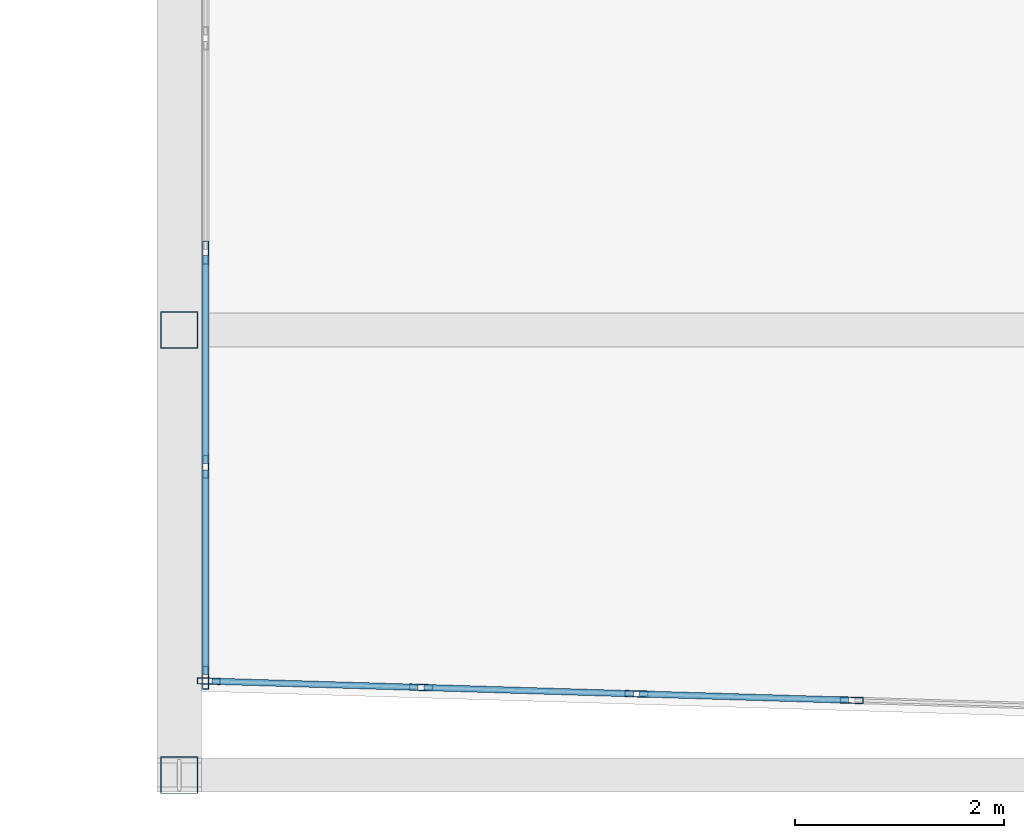
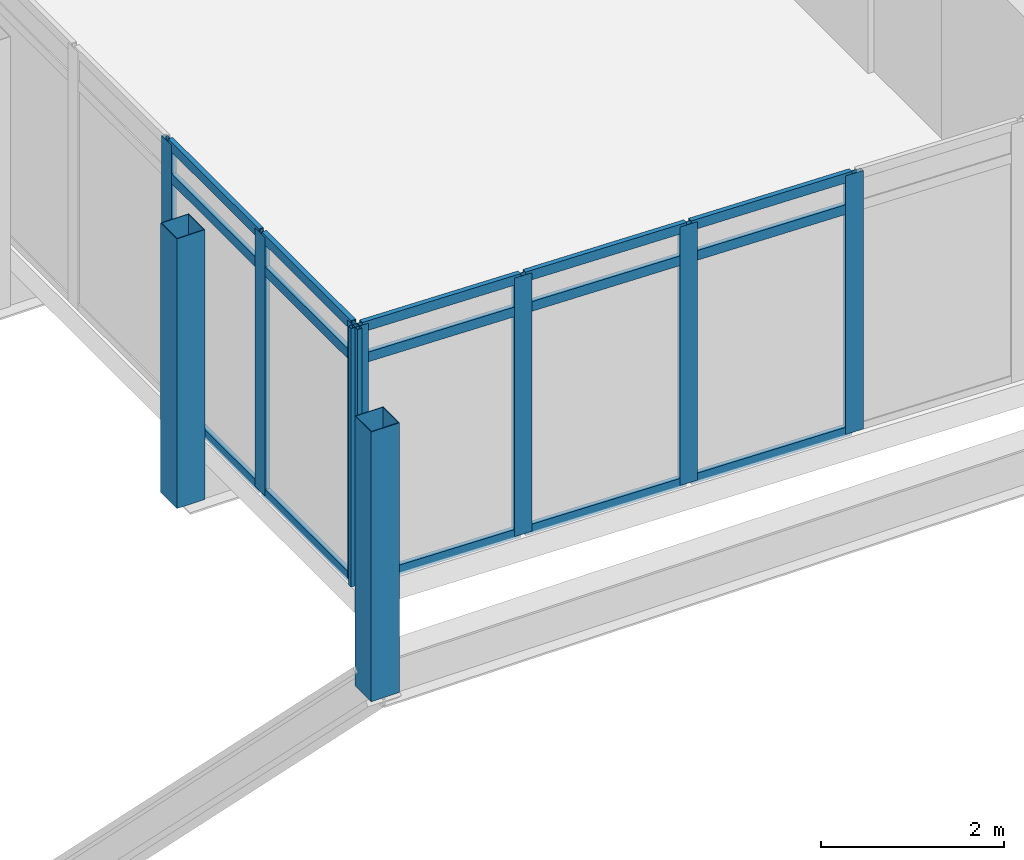
# One storey, part 2 of 37: 24 members, 2 elements without a shape of their own.
"""IFC4 building model written with IfcOpenShell, lengths in metres."""

from ifc_helpers import new_model, si_unit, direction, frame, origin, origin_2d, place, context, subcontext, project, spatial, hollow_rectangle, extrude, material, material_profile, profile_set, type_object, element, aggregate, save


model = new_model("IFC4")

# Units and contexts
model_context = context("Model", 3, precision=1e-05, world=origin(), true_north=direction((0.0, 1.0)))
body_context = subcontext(model_context, "Body", "Model", "MODEL_VIEW")
ifc_project = project(units=[si_unit("LENGTHUNIT", "METRE"), si_unit("AREAUNIT", "SQUARE_METRE"), si_unit("VOLUMEUNIT", "CUBIC_METRE"), si_unit("PLANEANGLEUNIT", "RADIAN"), si_unit("MASSUNIT", "GRAM", prefix="KILO")], contexts=[model_context])

# Site, building, storey
site_placement = place(None, origin())
site = spatial("IfcSite", under=ifc_project, at=site_placement, CompositionType="ELEMENT")
building_placement = place(site_placement, origin())
building = spatial("IfcBuilding", under=site, at=building_placement, Name="Ostrander Bayou Hotel Tower", CompositionType="ELEMENT")
storey_placement = place(building_placement, frame((0.0, 0.0, 93.0)))
storey = spatial("IfcBuildingStorey", under=building, at=storey_placement, Name="L23", CompositionType="ELEMENT", Elevation=93.0)

# Curtain wall, members
ifc_material_1 = material(Name="Aluminium and clear glass", Category="aluminium")
curtain_wall_type = type_object("IfcCurtainWallType", Name="CW-BAR glazed wall", PredefinedType="NOTDEFINED", material=ifc_material_1)
curtain_wall_1_placement = place(storey_placement, origin())
curtain_wall_1 = element("IfcCurtainWall", 1, at=curtain_wall_1_placement, inside=storey, type_object=curtain_wall_type, Name="CW-BAR L23:SB2S:E", PredefinedType="NOTDEFINED")
ifc_material_2 = material(Name="Aluminium", Category="aluminium")
ifc_material_profile_1 = material_profile(ifc_material_2, hollow_rectangle(XDim=0.06005859375, YDim=0.219970703125, WallThickness=0.00390625, at=origin_2d()))
ifc_profile_set_1 = profile_set([ifc_material_profile_1], Name="Aluminium")
member_type_1 = type_object("IfcMemberType", Name="CW-BR mullion 60 x 220 mm", PredefinedType="MULLION", material=ifc_profile_set_1)
member_1_placement = place(storey_placement, frame((-13.3671875, -27.211181640625, 0.0), z_axis=(0.0, 0.0, 1.0), x_axis=(1.0, 0.0, 0.0)))
member_1 = element("IfcMember", 2, at=member_1_placement, type_object=member_type_1, Name="CW-BAR mullion 9", PredefinedType="MULLION", context=body_context, shape_type="SweptSolid", body=[
    extrude(hollow_rectangle(XDim=0.06005859375, YDim=0.219970703125, WallThickness=0.00390625, at=origin_2d()), origin(), (0.0, 0.0, 1.0), 3.449951171875),
])
member_2_placement = place(storey_placement, frame((-13.3671875, -29.256591796875, 0.0), z_axis=(0.0, 0.0, 1.0), x_axis=(1.0, 0.0, 0.0)))
member_2 = element("IfcMember", 3, at=member_2_placement, type_object=member_type_1, Name="CW-BAR mullion 10", PredefinedType="MULLION", context=body_context, shape_type="SweptSolid", body=[
    extrude(hollow_rectangle(XDim=0.06005859375, YDim=0.219970703125, WallThickness=0.00390625, at=origin_2d()), origin(), (0.0, 0.0, 1.0), 3.449951171875),
])
member_3_placement = place(storey_placement, frame((-13.3671875, -31.272216796875, 0.0), z_axis=(0.0, 0.0, 1.0), x_axis=(1.0, 0.0, 0.0)))
member_3 = element("IfcMember", 4, at=member_3_placement, type_object=member_type_1, Name="CW-BAR mullion 11", PredefinedType="MULLION", context=body_context, shape_type="SweptSolid", body=[
    extrude(hollow_rectangle(XDim=0.06005859375, YDim=0.219970703125, WallThickness=0.00390625, at=origin_2d()), origin(), (0.0, 0.0, 1.0), 3.449951171875),
])

curtain_wall_2_placement = place(storey_placement, origin())
curtain_wall_2 = element("IfcCurtainWall", 5, at=curtain_wall_2_placement, inside=storey, type_object=curtain_wall_type, Name="CW-BAR L23:SB2S:T", PredefinedType="NOTDEFINED")
member_4_placement = place(storey_placement, frame((-13.337158203125, -31.302978515625, 0.0), z_axis=(0.0, 0.0, 1.0), x_axis=(0.029746242041, 0.999557482631, 0.0)))
member_4 = element("IfcMember", 6, at=member_4_placement, type_object=member_type_1, Name="CW-BAR mullion 1", PredefinedType="MULLION", context=body_context, shape_type="SweptSolid", body=[
    extrude(hollow_rectangle(XDim=0.06005859375, YDim=0.219970703125, WallThickness=0.00390625, at=origin_2d()), origin(), (0.0, 0.0, 1.0), 3.449951171875),
])
member_5_placement = place(storey_placement, frame((-11.310791015625, -31.36328125, 0.0), z_axis=(0.0, 0.0, 1.0), x_axis=(0.029746242041, 0.999557482631, 0.0)))
member_5 = element("IfcMember", 7, at=member_5_placement, type_object=member_type_1, Name="CW-BAR mullion 2", PredefinedType="MULLION", context=body_context, shape_type="SweptSolid", body=[
    extrude(hollow_rectangle(XDim=0.06005859375, YDim=0.219970703125, WallThickness=0.00390625, at=origin_2d()), origin(), (0.0, 0.0, 1.0), 3.449951171875),
])
member_6_placement = place(storey_placement, frame((-9.254150390625, -31.424560546875, 0.0), z_axis=(0.0, 0.0, 1.0), x_axis=(0.029746242041, 0.999557482631, 0.0)))
member_6 = element("IfcMember", 8, at=member_6_placement, type_object=member_type_1, Name="CW-BAR mullion 3", PredefinedType="MULLION", context=body_context, shape_type="SweptSolid", body=[
    extrude(hollow_rectangle(XDim=0.06005859375, YDim=0.219970703125, WallThickness=0.00390625, at=origin_2d()), origin(), (0.0, 0.0, 1.0), 3.449951171875),
])
member_7_placement = place(storey_placement, frame((-7.19775390625, -31.48583984375, 0.0), z_axis=(0.0, 0.0, 1.0), x_axis=(0.029746242041, 0.999557482631, 0.0)))
member_7 = element("IfcMember", 9, at=member_7_placement, type_object=member_type_1, Name="CW-BAR mullion 4", PredefinedType="MULLION", context=body_context, shape_type="SweptSolid", body=[
    extrude(hollow_rectangle(XDim=0.06005859375, YDim=0.219970703125, WallThickness=0.00390625, at=origin_2d()), origin(), (0.0, 0.0, 1.0), 3.449951171875),
])

# Member
ifc_material_3 = material(Name="Aluminium", Category="aluminium")
ifc_material_profile_2 = material_profile(ifc_material_3, hollow_rectangle(XDim=0.06005859375, YDim=0.1298828125, WallThickness=0.00390625, at=origin_2d()))
ifc_profile_set_2 = profile_set([ifc_material_profile_2], Name="Aluminium")
member_type_2 = type_object("IfcMemberType", Name="CW-BR transom 60 x 130 mm", PredefinedType="USERDEFINED", material=ifc_profile_set_2)
member_8_placement = place(storey_placement, frame((-13.3671875, -27.2412109375, 0.030029296875), z_axis=(0.0, -1.0, 0.0), x_axis=(1.0, 0.0, 0.0)))
member_8 = element("IfcMember", 10, at=member_8_placement, type_object=member_type_2, Name="CW-BAR transom 9.1", ObjectType="TRANSOM", PredefinedType="USERDEFINED", context=body_context, shape_type="SweptSolid", body=[
    extrude(hollow_rectangle(XDim=0.06005859375, YDim=0.1298828125, WallThickness=0.00390625, at=origin_2d()), origin(), (0.0, 0.0, 1.0), 1.985595703125),
])

member_9_placement = place(storey_placement, frame((-13.3671875, -27.2412109375, 3.0), z_axis=(0.0, -1.0, 0.0), x_axis=(1.0, 0.0, 0.0)))
member_9 = element("IfcMember", 11, at=member_9_placement, type_object=member_type_2, Name="CW-BAR transom 9.2", ObjectType="TRANSOM", PredefinedType="USERDEFINED", context=body_context, shape_type="SweptSolid", body=[
    extrude(hollow_rectangle(XDim=0.06005859375, YDim=0.1298828125, WallThickness=0.00390625, at=origin_2d()), origin(), (0.0, 0.0, 1.0), 1.985595703125),
])

member_10_placement = place(storey_placement, frame((-13.3671875, -27.2412109375, 3.419921875), z_axis=(0.0, -1.0, 0.0), x_axis=(1.0, 0.0, 0.0)))
member_10 = element("IfcMember", 12, at=member_10_placement, type_object=member_type_2, Name="CW-BAR transom 9.3", ObjectType="TRANSOM", PredefinedType="USERDEFINED", context=body_context, shape_type="SweptSolid", body=[
    extrude(hollow_rectangle(XDim=0.06005859375, YDim=0.1298828125, WallThickness=0.00390625, at=origin_2d()), origin(), (0.0, 0.0, 1.0), 1.985595703125),
])

member_11_placement = place(storey_placement, frame((-13.3671875, -29.28662109375, 0.030029296875), z_axis=(0.0, -1.0, 0.0), x_axis=(1.0, 0.0, 0.0)))
member_11 = element("IfcMember", 13, at=member_11_placement, type_object=member_type_2, Name="CW-BAR transom 10.1", ObjectType="TRANSOM", PredefinedType="USERDEFINED", context=body_context, shape_type="SweptSolid", body=[
    extrude(hollow_rectangle(XDim=0.06005859375, YDim=0.1298828125, WallThickness=0.00390625, at=origin_2d()), origin(), (0.0, 0.0, 1.0), 1.95556640625),
])

member_12_placement = place(storey_placement, frame((-13.3671875, -29.28662109375, 3.0), z_axis=(0.0, -1.0, 0.0), x_axis=(1.0, 0.0, 0.0)))
member_12 = element("IfcMember", 14, at=member_12_placement, type_object=member_type_2, Name="CW-BAR transom 10.2", ObjectType="TRANSOM", PredefinedType="USERDEFINED", context=body_context, shape_type="SweptSolid", body=[
    extrude(hollow_rectangle(XDim=0.06005859375, YDim=0.1298828125, WallThickness=0.00390625, at=origin_2d()), origin(), (0.0, 0.0, 1.0), 1.95556640625),
])

member_13_placement = place(storey_placement, frame((-13.3671875, -29.28662109375, 3.419921875), z_axis=(0.0, -1.0, 0.0), x_axis=(1.0, 0.0, 0.0)))
member_13 = element("IfcMember", 15, at=member_13_placement, type_object=member_type_2, Name="CW-BAR transom 10.3", ObjectType="TRANSOM", PredefinedType="USERDEFINED", context=body_context, shape_type="SweptSolid", body=[
    extrude(hollow_rectangle(XDim=0.06005859375, YDim=0.1298828125, WallThickness=0.00390625, at=origin_2d()), origin(), (0.0, 0.0, 1.0), 1.95556640625),
])

aggregate(curtain_wall_1, [member_1, member_2, member_3, member_8, member_9, member_10, member_11, member_12, member_13])

member_14_placement = place(storey_placement, frame((-13.30712890625, -31.303955078125, 0.030029296875), z_axis=(0.999556419591, -0.029781941738, 0.0), x_axis=(0.029781941738, 0.999556419591, 0.0)))
member_14 = element("IfcMember", 16, at=member_14_placement, type_object=member_type_2, Name="CW-BAR transom 1.1", ObjectType="TRANSOM", PredefinedType="USERDEFINED", context=body_context, shape_type="SweptSolid", body=[
    extrude(hollow_rectangle(XDim=0.06005859375, YDim=0.1298828125, WallThickness=0.00390625, at=origin_2d()), origin(), (0.0, 0.0, 1.0), 1.967529296875),
])

member_15_placement = place(storey_placement, frame((-13.30712890625, -31.303955078125, 3.0), z_axis=(0.999556419591, -0.029781941738, 0.0), x_axis=(0.029781941738, 0.999556419591, 0.0)))
member_15 = element("IfcMember", 17, at=member_15_placement, type_object=member_type_2, Name="CW-BAR transom 1.2", ObjectType="TRANSOM", PredefinedType="USERDEFINED", context=body_context, shape_type="SweptSolid", body=[
    extrude(hollow_rectangle(XDim=0.06005859375, YDim=0.1298828125, WallThickness=0.00390625, at=origin_2d()), origin(), (0.0, 0.0, 1.0), 1.967529296875),
])

member_16_placement = place(storey_placement, frame((-13.30712890625, -31.303955078125, 3.419921875), z_axis=(0.999556419591, -0.029781941738, 0.0), x_axis=(0.029781941738, 0.999556419591, 0.0)))
member_16 = element("IfcMember", 18, at=member_16_placement, type_object=member_type_2, Name="CW-BAR transom 1.3", ObjectType="TRANSOM", PredefinedType="USERDEFINED", context=body_context, shape_type="SweptSolid", body=[
    extrude(hollow_rectangle(XDim=0.06005859375, YDim=0.1298828125, WallThickness=0.00390625, at=origin_2d()), origin(), (0.0, 0.0, 1.0), 1.967529296875),
])

member_17_placement = place(storey_placement, frame((-11.28076171875, -31.3642578125, 0.030029296875), z_axis=(0.999555199151, -0.029822874614, 0.0), x_axis=(0.029822874614, 0.999555199151, 0.0)))
member_17 = element("IfcMember", 19, at=member_17_placement, type_object=member_type_2, Name="CW-BAR transom 2.1", ObjectType="TRANSOM", PredefinedType="USERDEFINED", context=body_context, shape_type="SweptSolid", body=[
    extrude(hollow_rectangle(XDim=0.06005859375, YDim=0.1298828125, WallThickness=0.00390625, at=origin_2d()), origin(), (0.0, 0.0, 1.0), 1.99755859375),
])

member_18_placement = place(storey_placement, frame((-11.28076171875, -31.3642578125, 3.0), z_axis=(0.999555199151, -0.029822874614, 0.0), x_axis=(0.029822874614, 0.999555199151, 0.0)))
member_18 = element("IfcMember", 20, at=member_18_placement, type_object=member_type_2, Name="CW-BAR transom 2.2", ObjectType="TRANSOM", PredefinedType="USERDEFINED", context=body_context, shape_type="SweptSolid", body=[
    extrude(hollow_rectangle(XDim=0.06005859375, YDim=0.1298828125, WallThickness=0.00390625, at=origin_2d()), origin(), (0.0, 0.0, 1.0), 1.99755859375),
])

member_19_placement = place(storey_placement, frame((-11.28076171875, -31.3642578125, 3.419921875), z_axis=(0.999555199151, -0.029822874614, 0.0), x_axis=(0.029822874614, 0.999555199151, 0.0)))
member_19 = element("IfcMember", 21, at=member_19_placement, type_object=member_type_2, Name="CW-BAR transom 2.3", ObjectType="TRANSOM", PredefinedType="USERDEFINED", context=body_context, shape_type="SweptSolid", body=[
    extrude(hollow_rectangle(XDim=0.06005859375, YDim=0.1298828125, WallThickness=0.00390625, at=origin_2d()), origin(), (0.0, 0.0, 1.0), 1.99755859375),
])

member_20_placement = place(storey_placement, frame((-9.22412109375, -31.425537109375, 0.030029296875), z_axis=(0.999558727342, -0.029704386785, 0.0), x_axis=(0.029704386785, 0.999558727342, 0.0)))
member_20 = element("IfcMember", 22, at=member_20_placement, type_object=member_type_2, Name="CW-BAR transom 3.1", ObjectType="TRANSOM", PredefinedType="USERDEFINED", context=body_context, shape_type="SweptSolid", body=[
    extrude(hollow_rectangle(XDim=0.06005859375, YDim=0.1298828125, WallThickness=0.00390625, at=origin_2d()), origin(), (0.0, 0.0, 1.0), 1.997314453125),
])

member_21_placement = place(storey_placement, frame((-9.22412109375, -31.425537109375, 3.0), z_axis=(0.999558727342, -0.029704386785, 0.0), x_axis=(0.029704386785, 0.999558727342, 0.0)))
member_21 = element("IfcMember", 23, at=member_21_placement, type_object=member_type_2, Name="CW-BAR transom 3.2", ObjectType="TRANSOM", PredefinedType="USERDEFINED", context=body_context, shape_type="SweptSolid", body=[
    extrude(hollow_rectangle(XDim=0.06005859375, YDim=0.1298828125, WallThickness=0.00390625, at=origin_2d()), origin(), (0.0, 0.0, 1.0), 1.997314453125),
])

member_22_placement = place(storey_placement, frame((-9.22412109375, -31.425537109375, 3.419921875), z_axis=(0.999558727342, -0.029704386785, 0.0), x_axis=(0.029704386785, 0.999558727342, 0.0)))
member_22 = element("IfcMember", 24, at=member_22_placement, type_object=member_type_2, Name="CW-BAR transom 3.3", ObjectType="TRANSOM", PredefinedType="USERDEFINED", context=body_context, shape_type="SweptSolid", body=[
    extrude(hollow_rectangle(XDim=0.06005859375, YDim=0.1298828125, WallThickness=0.00390625, at=origin_2d()), origin(), (0.0, 0.0, 1.0), 1.997314453125),
])

aggregate(curtain_wall_2, [member_4, member_5, member_6, member_7, member_14, member_15, member_16, member_17, member_18, member_19, member_20, member_21, member_22])

# Members
ifc_material_4 = material(Name="Steel ASTM A500 Gr C", Category="steel")
ifc_material_profile_3 = material_profile(ifc_material_4, hollow_rectangle(XDim=0.355712890625, YDim=0.355712890625, WallThickness=0.0087890625, at=origin_2d()))
ifc_profile_set_3 = profile_set([ifc_material_profile_3], Name="Steel ASTM A500 Gr C")
member_type_3 = type_object("IfcMemberType", Name="TH3 bar hanger HSS14x14x3/8", PredefinedType="POST", material=ifc_profile_set_3)
for number, where, z_axis, x_axis, name in (
    (25, (-13.6201171875, -27.9501953125, -0.771728515625), (0.0, 0.0, 1.0), (1.0, 0.0, 0.0), "TH3 SB2SA H3-1"),
    (26, (-13.6201171875, -32.199951171875, -0.771728515625), (0.0, 0.0, 1.0), (1.0, 0.0, 0.0), "TH3 SB2SA H4-1"),
):
    element("IfcMember", number, at=place(storey_placement, frame(where, z_axis=z_axis, x_axis=x_axis)), inside=storey, type_object=member_type_3, Name=name, PredefinedType="POST", context=body_context, shape_type="SweptSolid", body=[
        extrude(hollow_rectangle(XDim=0.355712890625, YDim=0.355712890625, WallThickness=0.0087890625, at=origin_2d()), origin(), (0.0, 0.0, 1.0), 3.599853515625),
    ])

save(model, "model.ifc")
